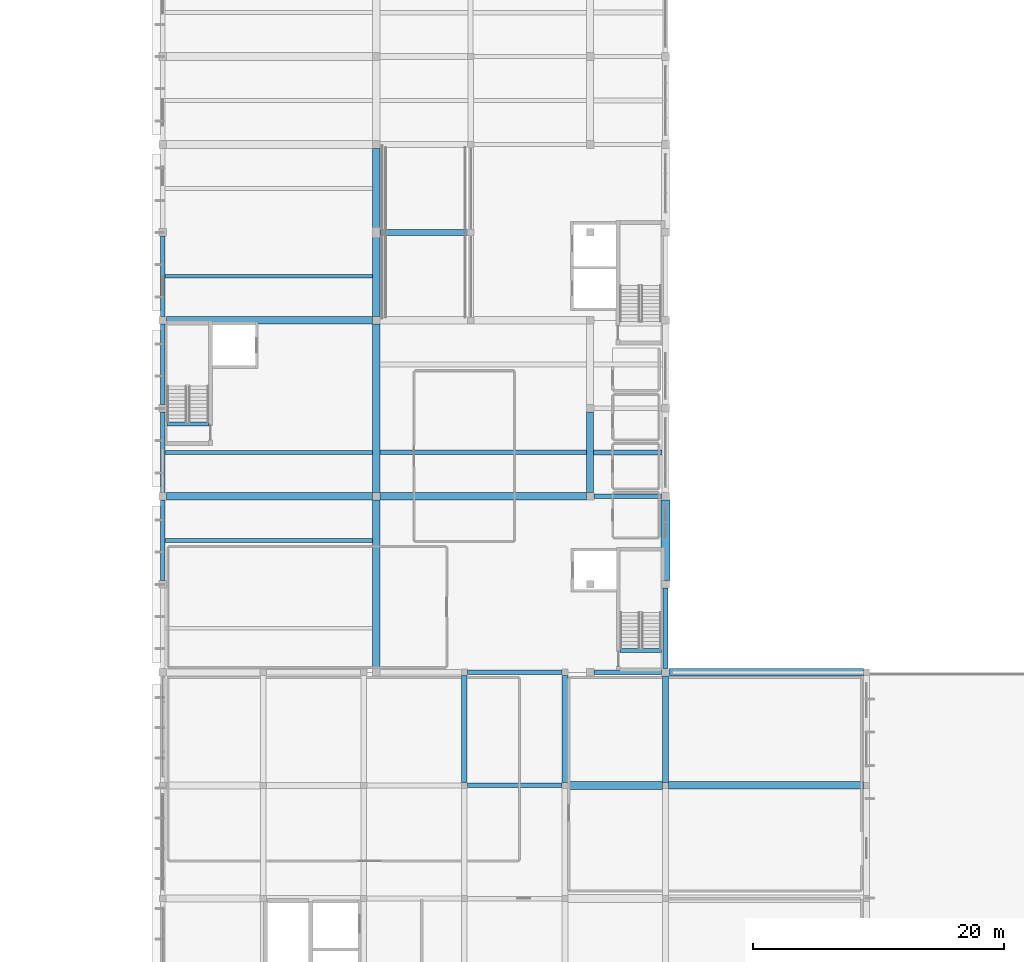
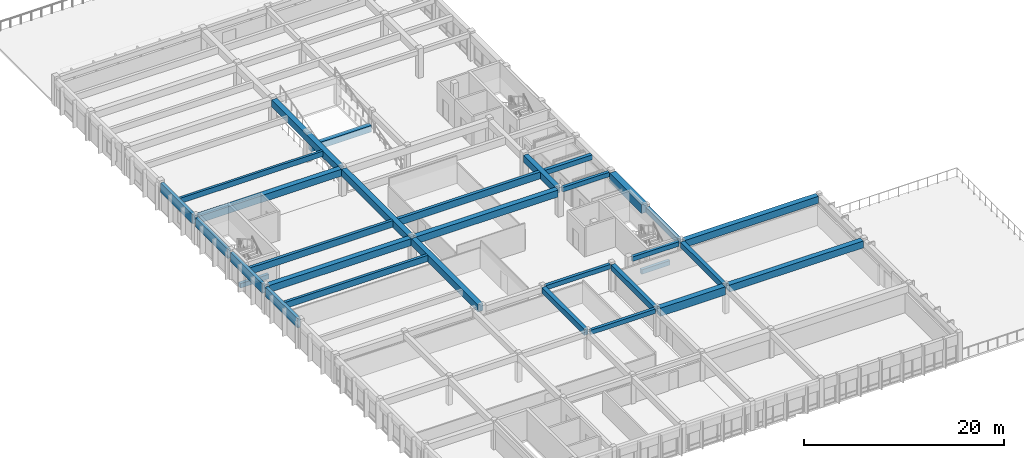
# One storey, part 10 of 33: 31 beams.
"""IFC4 building model written with IfcOpenShell, lengths in metres."""

from ifc_helpers import new_model, si_unit, direction, frame, origin, origin_2d, place, context, subcontext, project, spatial, rectangle, extrude, material, material_profile, profile_set, type_object, element, save


model = new_model("IFC4")

# Units and contexts
model_context = context("Model", 3, precision=1e-05, world=origin(), true_north=direction((0.0, 1.0)))
body_context = subcontext(model_context, "Body", "Model", "MODEL_VIEW")
ifc_project = project(units=[si_unit("LENGTHUNIT", "METRE"), si_unit("AREAUNIT", "SQUARE_METRE"), si_unit("VOLUMEUNIT", "CUBIC_METRE"), si_unit("PLANEANGLEUNIT", "RADIAN"), si_unit("MASSUNIT", "GRAM", prefix="KILO")], contexts=[model_context])

# Site, building, storey
site_placement = place(None, origin())
site = spatial("IfcSite", under=ifc_project, at=site_placement, CompositionType="ELEMENT")
building_placement = place(site_placement, origin())
building = spatial("IfcBuilding", under=site, at=building_placement, Name="Larkveld Mobility Hub", CompositionType="ELEMENT")
storey_placement = place(building_placement, frame((0.0, 0.0, 15.60009765625)))
storey = spatial("IfcBuildingStorey", under=building, at=storey_placement, Name="L04", CompositionType="ELEMENT", Elevation=15.60009765625)

# Beams
ifc_material_1 = material(Name="Precast concrete C50/60", Category="concrete")
ifc_material_profile_1 = material_profile(ifc_material_1, rectangle(XDim=0.280029296875, YDim=0.64990234375, at=origin_2d()), Name="PC DT 280x650")
ifc_profile_set_1 = profile_set([ifc_material_profile_1], Name="Precast concrete C50/60")
beam_type_1 = type_object("IfcBeamType", Name="BM-DT2865", PredefinedType="T_BEAM", material=ifc_profile_set_1)
beam_1_placement = place(storey_placement, frame((112.169921875, 59.5, 3.044921875), z_axis=(1.0, 0.0, 0.0), x_axis=(0.0, 1.0, 0.0)))
element("IfcBeam", 1, at=beam_1_placement, inside=storey, type_object=beam_type_1, Name="Precast Double-Tee Stem L04-1137", PredefinedType="T_BEAM", context=body_context, shape_type="SweptSolid", body=[
    extrude(rectangle(XDim=0.280029296875, YDim=0.64990234375, at=origin_2d()), origin(), (0.0, 0.0, 1.0), 16.53515625),
])
ifc_material_profile_2 = material_profile(ifc_material_1, rectangle(XDim=0.320068359375, YDim=0.75, at=origin_2d()), Name="PC DT 320x750")
ifc_profile_set_2 = profile_set([ifc_material_profile_2], Name="Precast concrete C50/60")
beam_type_2 = type_object("IfcBeamType", Name="BM-DT3275", PredefinedType="T_BEAM", material=ifc_profile_set_2)
beam_2_placement = place(storey_placement, frame((112.169921875, 38.5, 2.994873046875), z_axis=(1.0, 0.0, 0.0), x_axis=(0.0, 1.0, 0.0)))
element("IfcBeam", 2, at=beam_2_placement, inside=storey, type_object=beam_type_2, Name="Precast Double-Tee Stem L04-1131", PredefinedType="T_BEAM", context=body_context, shape_type="SweptSolid", body=[
    extrude(rectangle(XDim=0.320068359375, YDim=0.75, at=origin_2d()), origin(), (0.0, 0.0, 1.0), 16.53515625),
])
ifc_material_profile_3 = material_profile(ifc_material_1, rectangle(XDim=0.340087890625, YDim=0.800048828125, at=origin_2d()), Name="PC DT 340x800")
ifc_profile_set_3 = profile_set([ifc_material_profile_3], Name="Precast concrete C50/60")
beam_type_3 = type_object("IfcBeamType", Name="BM-DT3480", PredefinedType="T_BEAM", material=ifc_profile_set_3)
beam_3_placement = place(storey_placement, frame((112.169921875, 45.5, 2.969970703125), z_axis=(1.0, 0.0, 0.0), x_axis=(0.0, 1.0, 0.0)))
element("IfcBeam", 3, at=beam_3_placement, inside=storey, type_object=beam_type_3, Name="Precast Double-Tee Stem L04-1132", PredefinedType="T_BEAM", context=body_context, shape_type="SweptSolid", body=[
    extrude(rectangle(XDim=0.340087890625, YDim=0.800048828125, at=origin_2d()), origin(), (0.0, 0.0, 1.0), 16.53515625),
])
ifc_material_profile_4 = material_profile(ifc_material_1, rectangle(XDim=0.360107421875, YDim=0.85009765625, at=origin_2d()), Name="PC DT 360x850")
ifc_profile_set_4 = profile_set([ifc_material_profile_4], Name="Precast concrete C50/60")
beam_type_4 = type_object("IfcBeamType", Name="BM-DT3685", PredefinedType="T_BEAM", material=ifc_profile_set_4)
beam_4_placement = place(storey_placement, frame((129.294921875, 45.5, 2.94482421875), z_axis=(1.0, 0.0, 0.0), x_axis=(0.0, 1.0, 0.0)))
element("IfcBeam", 4, at=beam_4_placement, inside=storey, type_object=beam_type_4, Name="Precast Double-Tee Stem L04-1133", PredefinedType="T_BEAM", context=body_context, shape_type="SweptSolid", body=[
    extrude(rectangle(XDim=0.360107421875, YDim=0.85009765625, at=origin_2d()), origin(), (0.0, 0.0, 1.0), 16.43505859375),
])
ifc_material_profile_5 = material_profile(ifc_material_1, rectangle(XDim=0.60009765625, YDim=0.85009765625, at=origin_2d()), Name="PC ITB 600x850")
ifc_profile_set_5 = profile_set([ifc_material_profile_5], Name="Precast concrete C50/60")
beam_type_5 = type_object("IfcBeamType", Name="BM-ITB6085", PredefinedType="T_BEAM", material=ifc_profile_set_5)
beam_5_placement = place(storey_placement, frame((152.25, 19.0, 2.934814453125), z_axis=(1.0, 0.0, 0.0), x_axis=(0.0, 1.0, 0.0)))
element("IfcBeam", 5, at=beam_5_placement, inside=storey, type_object=beam_type_5, Name="Primary E-W Girder L04-0871", PredefinedType="T_BEAM", context=body_context, shape_type="SweptSolid", body=[
    extrude(rectangle(XDim=0.60009765625, YDim=0.85009765625, at=origin_2d()), origin(), (0.0, 0.0, 1.0), 15.5),
])
beam_6_placement = place(storey_placement, frame((152.300048828125, 28.0, 2.934814453125), z_axis=(1.0, 0.0, 0.0), x_axis=(0.0, 1.0, 0.0)))
element("IfcBeam", 6, at=beam_6_placement, inside=storey, type_object=beam_type_5, Name="Primary E-W Girder L04-0877", PredefinedType="T_BEAM", context=body_context, shape_type="SweptSolid", body=[
    extrude(rectangle(XDim=0.60009765625, YDim=0.85009765625, at=origin_2d()), origin(), (0.0, 0.0, 1.0), 15.449951171875),
])
for number, where, z_axis, x_axis, name in (
    (7, (112.300048828125, 42.0, 2.934814453125), (1.0, 0.0, 0.0), (0.0, 1.0, 0.0), "Primary E-W Girder L04-0878"),
    (8, (129.300048828125, 42.0, 2.934814453125), (1.0, 0.0, 0.0), (0.0, 1.0, 0.0), "Primary E-W Girder L04-0879"),
    (9, (112.300048828125, 56.0, 2.934814453125), (1.0, 0.0, 0.0), (0.0, 1.0, 0.0), "Primary E-W Girder L04-0882"),
):
    element("IfcBeam", number, at=place(storey_placement, frame(where, z_axis=z_axis, x_axis=x_axis)), inside=storey, type_object=beam_type_5, Name=name, PredefinedType="T_BEAM", context=body_context, shape_type="SweptSolid", body=[
        extrude(rectangle(XDim=0.60009765625, YDim=0.85009765625, at=origin_2d()), origin(), (0.0, 0.0, 1.0), 16.39990234375),
    ])
for number, where, z_axis, x_axis, name in (
    (10, (129.0, 28.300048828125, 2.934814453125), (0.0, 1.0, 0.0), (-1.0, 0.0, 0.0), "Primary N-S Girder L04-0913"),
    (11, (129.0, 42.300048828125, 2.934814453125), (0.0, 1.0, 0.0), (-1.0, 0.0, 0.0), "Primary N-S Girder L04-0914"),
    (12, (129.0, 56.300048828125, 2.934814453125), (0.0, 1.0, 0.0), (-1.0, 0.0, 0.0), "Primary N-S Girder L04-0915"),
):
    element("IfcBeam", number, at=place(storey_placement, frame(where, z_axis=z_axis, x_axis=x_axis)), inside=storey, type_object=beam_type_5, Name=name, PredefinedType="T_BEAM", context=body_context, shape_type="SweptSolid", body=[
        extrude(rectangle(XDim=0.60009765625, YDim=0.85009765625, at=origin_2d()), origin(), (0.0, 0.0, 1.0), 13.39990234375),
    ])
ifc_material_2 = material(Name="Concrete C40/50", Category="concrete")
ifc_material_profile_6 = material_profile(ifc_material_2, rectangle(XDim=0.35009765625, YDim=0.550048828125, at=origin_2d()), Name="RC BM 350x550")
ifc_profile_set_6 = profile_set([ifc_material_profile_6], Name="Concrete C40/50")
beam_type_6 = type_object("IfcBeamType", Name="BM-RC3555", PredefinedType="BEAM", material=ifc_profile_set_6)
for number, where, z_axis, x_axis, name in (
    (13, (136.25, 19.0, 3.0849609375), (1.0, 0.0, 0.0), (0.0, 1.0, 0.0), "Primary E-W Girder L04-0869"),
    (14, (136.25, 28.0, 3.0849609375), (1.0, 0.0, 0.0), (0.0, 1.0, 0.0), "Primary E-W Girder L04-0875"),
):
    element("IfcBeam", number, at=place(storey_placement, frame(where, z_axis=z_axis, x_axis=x_axis)), inside=storey, type_object=beam_type_6, Name=name, PredefinedType="BEAM", context=body_context, shape_type="SweptSolid", body=[
        extrude(rectangle(XDim=0.35009765625, YDim=0.550048828125, at=origin_2d()), origin(), (0.0, 0.0, 1.0), 7.5),
    ])
for number, where, z_axis, x_axis, name in (
    (15, (146.300048828125, 28.0, 3.0849609375), (1.0, 0.0, 0.0), (0.0, 1.0, 0.0), "Primary E-W Girder L04-0876"),
    (16, (146.300048828125, 42.0, 3.0849609375), (1.0, 0.0, 0.0), (0.0, 1.0, 0.0), "Primary E-W Girder L04-0880"),
):
    element("IfcBeam", number, at=place(storey_placement, frame(where, z_axis=z_axis, x_axis=x_axis)), inside=storey, type_object=beam_type_6, Name=name, PredefinedType="BEAM", context=body_context, shape_type="SweptSolid", body=[
        extrude(rectangle(XDim=0.35009765625, YDim=0.550048828125, at=origin_2d()), origin(), (0.0, 0.0, 1.0), 5.39990234375),
    ])
beam_7_placement = place(storey_placement, frame((148.3798828125, 29.739990234375, -0.27001953125), z_axis=(1.0, 0.0, 0.0), x_axis=(0.0, 1.0, 0.0)))
element("IfcBeam", 17, at=beam_7_placement, inside=storey, type_object=beam_type_6, Name="Core C1 Stair Header Beam L04", PredefinedType="BEAM", context=body_context, shape_type="SweptSolid", body=[
    extrude(rectangle(XDim=0.35009765625, YDim=0.550048828125, at=origin_2d()), origin(), (0.0, 0.0, 1.0), 3.2900390625),
])
beam_8_placement = place(storey_placement, frame((112.330078125, 47.760009765625, -0.27001953125), z_axis=(1.0, 0.0, 0.0), x_axis=(0.0, 1.0, 0.0)))
element("IfcBeam", 18, at=beam_8_placement, inside=storey, type_object=beam_type_6, Name="Core C3 Stair Header Beam L04", PredefinedType="BEAM", context=body_context, shape_type="SweptSolid", body=[
    extrude(rectangle(XDim=0.35009765625, YDim=0.550048828125, at=origin_2d()), origin(), (0.0, 0.0, 1.0), 3.329833984375),
])
ifc_material_profile_7 = material_profile(ifc_material_2, rectangle(XDim=0.39990234375, YDim=0.60009765625, at=origin_2d()), Name="RC BM 400x600")
ifc_profile_set_7 = profile_set([ifc_material_profile_7], Name="Concrete C40/50")
beam_type_7 = type_object("IfcBeamType", Name="BM-RC4060", PredefinedType="BEAM", material=ifc_profile_set_7)
beam_9_placement = place(storey_placement, frame((146.27001953125, 45.5, 3.06982421875), z_axis=(1.0, 0.0, 0.0), x_axis=(0.0, 1.0, 0.0)))
element("IfcBeam", 19, at=beam_9_placement, inside=storey, type_object=beam_type_7, Name="Concourse Spine Joist L04-1134", PredefinedType="BEAM", context=body_context, shape_type="SweptSolid", body=[
    extrude(rectangle(XDim=0.39990234375, YDim=0.60009765625, at=origin_2d()), origin(), (0.0, 0.0, 1.0), 5.4599609375),
])
ifc_material_profile_8 = material_profile(ifc_material_2, rectangle(XDim=0.39990234375, YDim=0.64990234375, at=origin_2d()), Name="RC BM 400x650")
ifc_profile_set_8 = profile_set([ifc_material_profile_8], Name="Concrete C40/50")
beam_type_8 = type_object("IfcBeamType", Name="BM-RC4065", PredefinedType="BEAM", material=ifc_profile_set_8)
beam_10_placement = place(storey_placement, frame((152.0, 28.300048828125, 3.034912109375), z_axis=(0.0, 1.0, 0.0), x_axis=(-1.0, 0.0, 0.0)))
element("IfcBeam", 20, at=beam_10_placement, inside=storey, type_object=beam_type_8, Name="Primary N-S Girder L04-0933", PredefinedType="BEAM", context=body_context, shape_type="SweptSolid", body=[
    extrude(rectangle(XDim=0.39990234375, YDim=0.64990234375, at=origin_2d()), origin(), (0.0, 0.0, 1.0), 6.39990234375),
])
ifc_material_profile_9 = material_profile(ifc_material_2, rectangle(XDim=0.449951171875, YDim=0.699951171875, at=origin_2d()), Name="RC BM 450x700")
ifc_profile_set_9 = profile_set([ifc_material_profile_9], Name="Concrete C40/50")
beam_type_9 = type_object("IfcBeamType", Name="BM-RC4570", PredefinedType="BEAM", material=ifc_profile_set_9)
for number, where, z_axis, x_axis, name in (
    (21, (136.0, 19.25, 3.010009765625), (0.0, 1.0, 0.0), (-1.0, 0.0, 0.0), "Primary N-S Girder L04-0920"),
    (22, (144.0, 19.25, 3.010009765625), (0.0, 1.0, 0.0), (-1.0, 0.0, 0.0), "Primary N-S Girder L04-0925"),
):
    element("IfcBeam", number, at=place(storey_placement, frame(where, z_axis=z_axis, x_axis=x_axis)), inside=storey, type_object=beam_type_9, Name=name, PredefinedType="BEAM", context=body_context, shape_type="SweptSolid", body=[
        extrude(rectangle(XDim=0.449951171875, YDim=0.699951171875, at=origin_2d()), origin(), (0.0, 0.0, 1.0), 8.5),
    ])
beam_11_placement = place(storey_placement, frame((152.0, 19.25, 3.010009765625), z_axis=(0.0, 1.0, 0.0), x_axis=(-1.0, 0.0, 0.0)))
element("IfcBeam", 23, at=beam_11_placement, inside=storey, type_object=beam_type_9, Name="Primary N-S Girder L04-0932", PredefinedType="BEAM", context=body_context, shape_type="SweptSolid", body=[
    extrude(rectangle(XDim=0.449951171875, YDim=0.699951171875, at=origin_2d()), origin(), (0.0, 0.0, 1.0), 8.449951171875),
])
ifc_material_profile_10 = material_profile(ifc_material_2, rectangle(XDim=0.5, YDim=0.800048828125, at=origin_2d()), Name="RC BM 500x800")
ifc_profile_set_10 = profile_set([ifc_material_profile_10], Name="Concrete C40/50")
beam_type_10 = type_object("IfcBeamType", Name="BM-RC5080", PredefinedType="BEAM", material=ifc_profile_set_10)
beam_12_placement = place(storey_placement, frame((129.280029296875, 63.0, 1.40185546875), z_axis=(1.0, 0.0, 0.0), x_axis=(0.0, 1.0, 0.0)))
element("IfcBeam", 24, at=beam_12_placement, inside=storey, type_object=beam_type_10, Name="EV Ramp Mid Support Beam L04-1777", PredefinedType="BEAM", context=body_context, shape_type="SweptSolid", body=[
    extrude(rectangle(XDim=0.5, YDim=0.800048828125, at=origin_2d()), origin(), (0.0, 0.0, 1.0), 6.989990234375),
])
ifc_material_profile_11 = material_profile(ifc_material_2, rectangle(XDim=0.550048828125, YDim=0.85009765625, at=origin_2d()), Name="RC BM 550x850")
ifc_profile_set_11 = profile_set([ifc_material_profile_11], Name="Concrete C40/50")
beam_type_11 = type_object("IfcBeamType", Name="BM-RC5585", PredefinedType="BEAM", material=ifc_profile_set_11)
beam_13_placement = place(storey_placement, frame((146.0, 42.300048828125, 2.934814453125), z_axis=(0.0, 1.0, 0.0), x_axis=(-1.0, 0.0, 0.0)))
element("IfcBeam", 25, at=beam_13_placement, inside=storey, type_object=beam_type_11, Name="Primary N-S Girder L04-0926", PredefinedType="BEAM", context=body_context, shape_type="SweptSolid", body=[
    extrude(rectangle(XDim=0.550048828125, YDim=0.85009765625, at=origin_2d()), origin(), (0.0, 0.0, 1.0), 6.39990234375),
])
ifc_material_profile_12 = material_profile(ifc_material_2, rectangle(XDim=0.64990234375, YDim=1.0, at=origin_2d()), Name="RC BM 650x1000")
ifc_profile_set_12 = profile_set([ifc_material_profile_12], Name="Concrete C40/50")
beam_type_12 = type_object("IfcBeamType", Name="BM-RC65100", PredefinedType="BEAM", material=ifc_profile_set_12)
beam_14_placement = place(storey_placement, frame((144.25, 19.0, 2.85986328125), z_axis=(1.0, 0.0, 0.0), x_axis=(0.0, 1.0, 0.0)))
element("IfcBeam", 26, at=beam_14_placement, inside=storey, type_object=beam_type_12, Name="Primary E-W Girder L04-0870", PredefinedType="BEAM", context=body_context, shape_type="SweptSolid", body=[
    extrude(rectangle(XDim=0.64990234375, YDim=1.0, at=origin_2d()), origin(), (0.0, 0.0, 1.0), 7.5),
])
ifc_material_profile_13 = material_profile(ifc_material_2, rectangle(XDim=0.699951171875, YDim=1.10009765625, at=origin_2d()), Name="RC BM 700x1100")
ifc_profile_set_13 = profile_set([ifc_material_profile_13], Name="Concrete C40/50")
beam_type_13 = type_object("IfcBeamType", Name="BM-RC70110", PredefinedType="BEAM", material=ifc_profile_set_13)
beam_15_placement = place(storey_placement, frame((152.0, 35.300048828125, 2.809814453125), z_axis=(0.0, 1.0, 0.0), x_axis=(-1.0, 0.0, 0.0)))
element("IfcBeam", 27, at=beam_15_placement, inside=storey, type_object=beam_type_13, Name="Primary N-S Girder L04-0934", PredefinedType="BEAM", context=body_context, shape_type="SweptSolid", body=[
    extrude(rectangle(XDim=0.699951171875, YDim=1.10009765625, at=origin_2d()), origin(), (0.0, 0.0, 1.0), 6.39990234375),
])
ifc_material_profile_14 = material_profile(ifc_material_1, rectangle(XDim=0.35009765625, YDim=1.14990234375, at=origin_2d()), Name="PC SP 350x1150")
ifc_profile_set_14 = profile_set([ifc_material_profile_14], Name="Precast concrete C50/60")
beam_type_14 = type_object("IfcBeamType", Name="BM-SP35115", PredefinedType="SPANDREL", material=ifc_profile_set_14)
for number, where, z_axis, x_axis, name in (
    (28, (112.0, 35.300048828125, 2.784912109375), (0.0, 1.0, 0.0), (-1.0, 0.0, 0.0), "Primary N-S Girder L04-0900"),
    (29, (112.0, 42.300048828125, 2.784912109375), (0.0, 1.0, 0.0), (-1.0, 0.0, 0.0), "Primary N-S Girder L04-0901"),
    (30, (112.0, 49.300048828125, 2.784912109375), (0.0, 1.0, 0.0), (-1.0, 0.0, 0.0), "Primary N-S Girder L04-0902"),
    (31, (112.0, 56.300048828125, 2.784912109375), (0.0, 1.0, 0.0), (-1.0, 0.0, 0.0), "Primary N-S Girder L04-0903"),
):
    element("IfcBeam", number, at=place(storey_placement, frame(where, z_axis=z_axis, x_axis=x_axis)), inside=storey, type_object=beam_type_14, Name=name, PredefinedType="SPANDREL", context=body_context, shape_type="SweptSolid", body=[
        extrude(rectangle(XDim=0.35009765625, YDim=1.14990234375, at=origin_2d()), origin(), (0.0, 0.0, 1.0), 6.39990234375),
    ])

save(model, "model.ifc")
